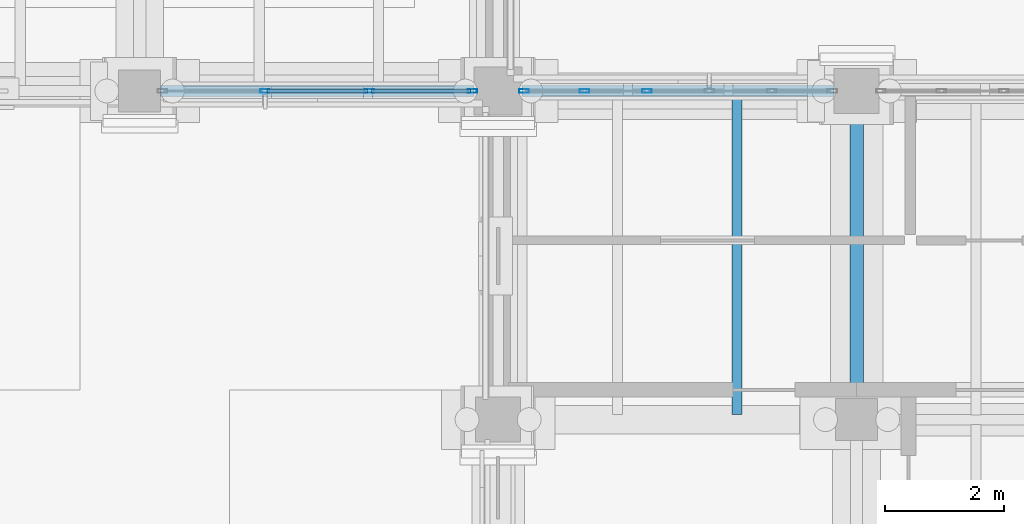
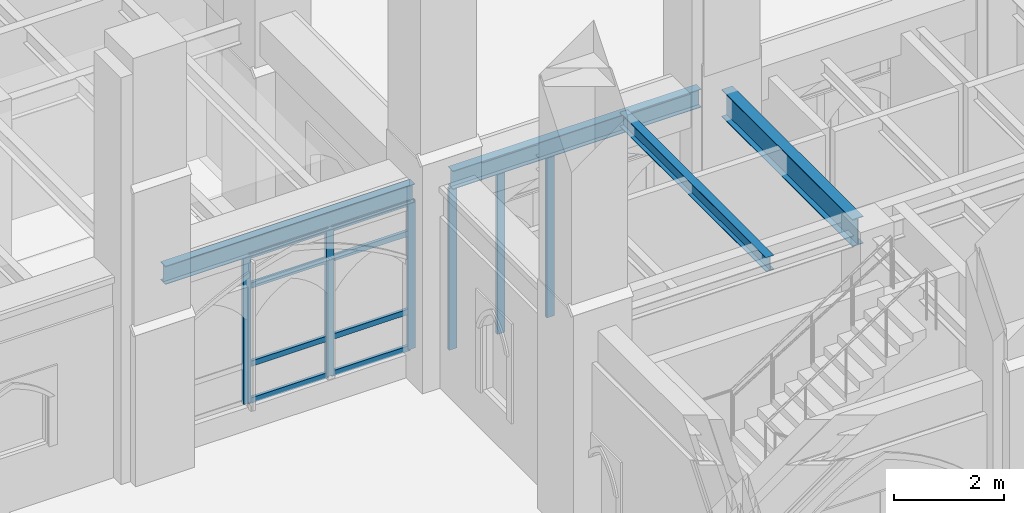
# One storey, part 18 of 135: 14 members, 4 beams, 2 elements without a shape of their own.
"""IFC4 building model written with IfcOpenShell, lengths in metres."""

from ifc_helpers import new_model, si_unit, direction, frame, origin, origin_2d, place, context, subcontext, project, spatial, hollow_rectangle, i_section, extrude, material, layer, layer_set, material_profile, profile_set, type_object, element, aggregate, save


model = new_model("IFC4")

# Units and contexts
model_context = context("Model", 3, precision=1e-05, world=origin(), true_north=direction((0.0, 1.0)))
body_context = subcontext(model_context, "Body", "Model", "MODEL_VIEW")
ifc_project = project(units=[si_unit("LENGTHUNIT", "METRE"), si_unit("AREAUNIT", "SQUARE_METRE"), si_unit("VOLUMEUNIT", "CUBIC_METRE"), si_unit("PLANEANGLEUNIT", "RADIAN"), si_unit("MASSUNIT", "GRAM", prefix="KILO")], contexts=[model_context])

# Site, building, storey
site_placement = place(None, origin())
site = spatial("IfcSite", under=ifc_project, at=site_placement, CompositionType="ELEMENT")
building_placement = place(site_placement, origin())
building = spatial("IfcBuilding", under=site, at=building_placement, Name="Cumevento Cable Car Station", CompositionType="ELEMENT")
storey_placement = place(building_placement, origin())
storey = spatial("IfcBuildingStorey", under=building, at=storey_placement, Name="L01", CompositionType="ELEMENT", Elevation=0.0)

# Curtain wall, members
ifc_material_1 = material(Name="Anodised Bronze Aluminium AW-6063-T6", Category="aluminium")
ifc_layer_1 = layer(ifc_material_1, 0.166015625)
ifc_layer_set_1 = layer_set([ifc_layer_1], Name="Anodised Bronze Aluminium AW-6063-T6")
curtain_wall_type_1 = type_object("IfcCurtainWallType", Name="Lancet Curtain Wall CW-02 1090", PredefinedType="NOTDEFINED", material=ifc_layer_set_1)
curtain_wall_1_placement = place(storey_placement, origin())
curtain_wall_1 = element("IfcCurtainWall", 1, at=curtain_wall_1_placement, inside=storey, type_object=curtain_wall_type_1, Name="Lancet Curtain Wall CW-02 L01 #1", PredefinedType="NOTDEFINED")
ifc_material_2 = material(Name="Anodised Bronze Aluminium AW-6063-T6", Category="aluminium")
ifc_material_profile_1 = material_profile(ifc_material_2, hollow_rectangle(XDim=0.06494140625, YDim=0.159912109375, WallThickness=0.00390625, at=origin_2d()), Name="ALUM65x160x4")
ifc_profile_set_1 = profile_set([ifc_material_profile_1], Name="Anodised Bronze Aluminium AW-6063-T6")
member_type_1 = type_object("IfcMemberType", Name="Curtain Mullion CWM-01 ALUM65x160x4", PredefinedType="MULLION", material=ifc_profile_set_1)
member_1_placement = place(storey_placement, frame((22.4326171875, 15.0, 0.2099609375), z_axis=(0.0, 0.0, 1.0), x_axis=(0.0, 1.0, 0.0)))
member_1 = element("IfcMember", 2, at=member_1_placement, type_object=member_type_1, Name="CW-02 mullion 1", PredefinedType="MULLION", context=body_context, shape_type="SweptSolid", body=[
    extrude(hollow_rectangle(XDim=0.06494140625, YDim=0.159912109375, WallThickness=0.00390625, at=origin_2d()), origin(), (0.0, 0.0, 1.0), 3.59912109375),
])
member_2_placement = place(storey_placement, frame((23.445068359375, 15.0, 0.2099609375), z_axis=(0.0, 0.0, 1.0), x_axis=(0.0, 1.0, 0.0)))
member_2 = element("IfcMember", 3, at=member_2_placement, type_object=member_type_1, Name="CW-02 mullion 2", PredefinedType="MULLION", context=body_context, shape_type="SweptSolid", body=[
    extrude(hollow_rectangle(XDim=0.06494140625, YDim=0.159912109375, WallThickness=0.00390625, at=origin_2d()), origin(), (0.0, 0.0, 1.0), 3.59912109375),
])
member_3_placement = place(storey_placement, frame((24.489990234375, 15.0, 0.2099609375), z_axis=(0.0, 0.0, 1.0), x_axis=(0.0, 1.0, 0.0)))
member_3 = element("IfcMember", 4, at=member_3_placement, type_object=member_type_1, Name="CW-02 mullion 3", PredefinedType="MULLION", context=body_context, shape_type="SweptSolid", body=[
    extrude(hollow_rectangle(XDim=0.06494140625, YDim=0.159912109375, WallThickness=0.00390625, at=origin_2d()), origin(), (0.0, 0.0, 1.0), 3.59912109375),
])
aggregate(curtain_wall_1, [member_1, member_2, member_3])

ifc_material_3 = material(Name="Anodised Bronze Aluminium AW-6063-T6", Category="aluminium")
ifc_layer_2 = layer(ifc_material_3, 0.25)
ifc_layer_set_2 = layer_set([ifc_layer_2], Name="Anodised Bronze Aluminium AW-6063-T6")
curtain_wall_type_2 = type_object("IfcCurtainWallType", Name="Lancet Curtain Wall CW-16 1650", PredefinedType="NOTDEFINED", material=ifc_layer_set_2)
curtain_wall_2_placement = place(storey_placement, origin())
curtain_wall_2 = element("IfcCurtainWall", 5, at=curtain_wall_2_placement, inside=storey, type_object=curtain_wall_type_2, Name="Lancet Curtain Wall CW-16 L01 #15", PredefinedType="NOTDEFINED")
member_4_placement = place(storey_placement, frame((21.5673828125, 15.0, 0.52001953125), z_axis=(0.0, 0.0, 1.0), x_axis=(0.0, -1.0, 0.0)))
member_4 = element("IfcMember", 6, at=member_4_placement, type_object=member_type_1, Name="CW-16 mullion 1", PredefinedType="MULLION", context=body_context, shape_type="SweptSolid", body=[
    extrude(hollow_rectangle(XDim=0.06494140625, YDim=0.159912109375, WallThickness=0.00390625, at=origin_2d()), origin(), (0.0, 0.0, 1.0), 3.2890625),
])
member_5_placement = place(storey_placement, frame((19.85009765625, 15.0, 0.52001953125), z_axis=(0.0, 0.0, 1.0), x_axis=(0.0, -1.0, 0.0)))
member_5 = element("IfcMember", 7, at=member_5_placement, type_object=member_type_1, Name="CW-16 mullion 2", PredefinedType="MULLION", context=body_context, shape_type="SweptSolid", body=[
    extrude(hollow_rectangle(XDim=0.06494140625, YDim=0.159912109375, WallThickness=0.00390625, at=origin_2d()), origin(), (0.0, 0.0, 1.0), 3.2890625),
])
member_6_placement = place(storey_placement, frame((18.10009765625, 15.0, 0.52001953125), z_axis=(0.0, 0.0, 1.0), x_axis=(0.0, -1.0, 0.0)))
member_6 = element("IfcMember", 8, at=member_6_placement, type_object=member_type_1, Name="CW-16 mullion 3", PredefinedType="MULLION", context=body_context, shape_type="SweptSolid", body=[
    extrude(hollow_rectangle(XDim=0.06494140625, YDim=0.159912109375, WallThickness=0.00390625, at=origin_2d()), origin(), (0.0, 0.0, 1.0), 3.2890625),
])
ifc_material_4 = material(Name="Anodised Bronze Aluminium AW-6063-T6", Category="aluminium")
ifc_material_profile_2 = material_profile(ifc_material_4, hollow_rectangle(XDim=0.06494140625, YDim=0.1201171875, WallThickness=0.00390625, at=origin_2d()), Name="ALUT65x120x4")
ifc_profile_set_2 = profile_set([ifc_material_profile_2], Name="Anodised Bronze Aluminium AW-6063-T6")
member_type_2 = type_object("IfcMemberType", Name="Curtain Transom CWT-01 ALUT65x120x4", PredefinedType="USERDEFINED", material=ifc_profile_set_2)
member_7_placement = place(storey_placement, frame((21.534912109375, 15.0, 0.552490234375), z_axis=(-1.0, 0.0, 0.0), x_axis=(0.0, -1.0, 0.0)))
member_7 = element("IfcMember", 9, at=member_7_placement, type_object=member_type_2, Name="CW-16 transom 1.1", ObjectType="TRANSOM", PredefinedType="USERDEFINED", context=body_context, shape_type="SweptSolid", body=[
    extrude(hollow_rectangle(XDim=0.06494140625, YDim=0.1201171875, WallThickness=0.00390625, at=origin_2d()), origin(), (0.0, 0.0, 1.0), 1.65234375),
])
member_8_placement = place(storey_placement, frame((21.534912109375, 15.0, 1.3701171875), z_axis=(-1.0, 0.0, 0.0), x_axis=(0.0, -1.0, 0.0)))
member_8 = element("IfcMember", 10, at=member_8_placement, type_object=member_type_2, Name="CW-16 transom 1.2", ObjectType="TRANSOM", PredefinedType="USERDEFINED", context=body_context, shape_type="SweptSolid", body=[
    extrude(hollow_rectangle(XDim=0.06494140625, YDim=0.1201171875, WallThickness=0.00390625, at=origin_2d()), origin(), (0.0, 0.0, 1.0), 1.65234375),
])
member_9_placement = place(storey_placement, frame((21.534912109375, 15.0, 3.10888671875), z_axis=(-1.0, 0.0, 0.0), x_axis=(0.0, -1.0, 0.0)))
member_9 = element("IfcMember", 11, at=member_9_placement, type_object=member_type_2, Name="CW-16 transom 1.3", ObjectType="TRANSOM", PredefinedType="USERDEFINED", context=body_context, shape_type="SweptSolid", body=[
    extrude(hollow_rectangle(XDim=0.06494140625, YDim=0.1201171875, WallThickness=0.00390625, at=origin_2d()), origin(), (0.0, 0.0, 1.0), 1.65234375),
])
member_10_placement = place(storey_placement, frame((21.534912109375, 15.0, 3.776611328125), z_axis=(-1.0, 0.0, 0.0), x_axis=(0.0, -1.0, 0.0)))
member_10 = element("IfcMember", 12, at=member_10_placement, type_object=member_type_2, Name="CW-16 transom 1.4", ObjectType="TRANSOM", PredefinedType="USERDEFINED", context=body_context, shape_type="SweptSolid", body=[
    extrude(hollow_rectangle(XDim=0.06494140625, YDim=0.1201171875, WallThickness=0.00390625, at=origin_2d()), origin(), (0.0, 0.0, 1.0), 1.65234375),
])
member_11_placement = place(storey_placement, frame((19.8173828125, 15.0, 0.552490234375), z_axis=(-1.0, 0.0, 0.0), x_axis=(0.0, -1.0, 0.0)))
member_11 = element("IfcMember", 13, at=member_11_placement, type_object=member_type_2, Name="CW-16 transom 2.1", ObjectType="TRANSOM", PredefinedType="USERDEFINED", context=body_context, shape_type="SweptSolid", body=[
    extrude(hollow_rectangle(XDim=0.06494140625, YDim=0.1201171875, WallThickness=0.00390625, at=origin_2d()), origin(), (0.0, 0.0, 1.0), 1.684814453125),
])
member_12_placement = place(storey_placement, frame((19.8173828125, 15.0, 1.3701171875), z_axis=(-1.0, 0.0, 0.0), x_axis=(0.0, -1.0, 0.0)))
member_12 = element("IfcMember", 14, at=member_12_placement, type_object=member_type_2, Name="CW-16 transom 2.2", ObjectType="TRANSOM", PredefinedType="USERDEFINED", context=body_context, shape_type="SweptSolid", body=[
    extrude(hollow_rectangle(XDim=0.06494140625, YDim=0.1201171875, WallThickness=0.00390625, at=origin_2d()), origin(), (0.0, 0.0, 1.0), 1.684814453125),
])
member_13_placement = place(storey_placement, frame((19.8173828125, 15.0, 3.10888671875), z_axis=(-1.0, 0.0, 0.0), x_axis=(0.0, -1.0, 0.0)))
member_13 = element("IfcMember", 15, at=member_13_placement, type_object=member_type_2, Name="CW-16 transom 2.3", ObjectType="TRANSOM", PredefinedType="USERDEFINED", context=body_context, shape_type="SweptSolid", body=[
    extrude(hollow_rectangle(XDim=0.06494140625, YDim=0.1201171875, WallThickness=0.00390625, at=origin_2d()), origin(), (0.0, 0.0, 1.0), 1.684814453125),
])
member_14_placement = place(storey_placement, frame((19.8173828125, 15.0, 3.776611328125), z_axis=(-1.0, 0.0, 0.0), x_axis=(0.0, -1.0, 0.0)))
member_14 = element("IfcMember", 16, at=member_14_placement, type_object=member_type_2, Name="CW-16 transom 2.4", ObjectType="TRANSOM", PredefinedType="USERDEFINED", context=body_context, shape_type="SweptSolid", body=[
    extrude(hollow_rectangle(XDim=0.06494140625, YDim=0.1201171875, WallThickness=0.00390625, at=origin_2d()), origin(), (0.0, 0.0, 1.0), 1.684814453125),
])
aggregate(curtain_wall_2, [member_4, member_5, member_6, member_7, member_8, member_9, member_10, member_11, member_12, member_13, member_14])

# Beams
ifc_material_5 = material(Name="Steel ASTM A572 Grade 50", Category="steel")
ifc_material_profile_3 = material_profile(ifc_material_5, i_section(OverallWidth=0.22802734375, OverallDepth=0.60791015625, WebThickness=0.01123046875, FlangeThickness=0.017333984375, at=origin_2d()), Name="W610x113.0")
ifc_profile_set_3 = profile_set([ifc_material_profile_3], Name="Steel ASTM A572 Grade 50")
beam_type_1 = type_object("IfcBeamType", Name="Structural Beam BM-02 W610x113.0", PredefinedType="BEAM", material=ifc_profile_set_3)
beam_1_placement = place(storey_placement, frame((28.0, 9.85009765625, 3.98388671875), z_axis=(0.0, 1.0, 0.0), x_axis=(-1.0, 0.0, 0.0)))
element("IfcBeam", 17, at=beam_1_placement, inside=storey, type_object=beam_type_1, Name="Beam BM-02 L01 #16", PredefinedType="BEAM", context=body_context, shape_type="SweptSolid", body=[
    extrude(i_section(OverallWidth=0.22802734375, OverallDepth=0.60791015625, WebThickness=0.01123046875, FlangeThickness=0.017333984375, at=origin_2d()), origin(), (0.0, 0.0, 1.0), 4.77490234375),
])
ifc_material_6 = material(Name="Steel ASTM A572 Grade 50", Category="steel")
ifc_material_profile_4 = material_profile(ifc_material_6, i_section(OverallWidth=0.1669921875, OverallDepth=0.31689453125, WebThickness=0.007568359375, FlangeThickness=0.01318359375, at=origin_2d()), Name="W310x52.0")
ifc_profile_set_4 = profile_set([ifc_material_profile_4], Name="Steel ASTM A572 Grade 50")
beam_type_2 = type_object("IfcBeamType", Name="Structural Joist JS-02 W310x52.0", PredefinedType="JOIST", material=ifc_profile_set_4)
beam_2_placement = place(storey_placement, frame((26.0, 9.589599609375, 4.12939453125), z_axis=(0.0, 1.0, 0.0), x_axis=(-1.0, 0.0, 0.0)))
element("IfcBeam", 18, at=beam_2_placement, inside=storey, type_object=beam_type_2, Name="Composite Floor Joist JS-02 L01 #305", PredefinedType="JOIST", context=body_context, shape_type="SweptSolid", body=[
    extrude(i_section(OverallWidth=0.1669921875, OverallDepth=0.31689453125, WebThickness=0.007568359375, FlangeThickness=0.01318359375, at=origin_2d()), origin(), (0.0, 0.0, 1.0), 5.33349609375),
])
ifc_material_7 = material(Name="Steel ASTM A572 Grade 50", Category="steel")
ifc_material_profile_5 = material_profile(ifc_material_7, i_section(OverallWidth=0.177978515625, OverallDepth=0.406982421875, WebThickness=0.0078125, FlangeThickness=0.0126953125, at=origin_2d()), Name="W410x60.0")
ifc_profile_set_5 = profile_set([ifc_material_profile_5], Name="Steel ASTM A572 Grade 50")
beam_type_3 = type_object("IfcBeamType", Name="Structural Spandrel SP-01 W410x60.0", PredefinedType="SPANDREL", material=ifc_profile_set_5)
beam_3_placement = place(storey_placement, frame((22.39990234375, 15.0, 4.012451171875), z_axis=(1.0, 0.0, 0.0), x_axis=(0.0, 1.0, 0.0)))
element("IfcBeam", 19, at=beam_3_placement, inside=storey, type_object=beam_type_3, Name="Beam SP-01 L01 #9", PredefinedType="SPANDREL", context=body_context, shape_type="SweptSolid", body=[
    extrude(i_section(OverallWidth=0.177978515625, OverallDepth=0.406982421875, WebThickness=0.0078125, FlangeThickness=0.0126953125, at=origin_2d()), origin(), (0.0, 0.0, 1.0), 5.22509765625),
])
beam_4_placement = place(storey_placement, frame((16.35009765625, 15.0, 4.012451171875), z_axis=(1.0, 0.0, 0.0), x_axis=(0.0, 1.0, 0.0)))
element("IfcBeam", 20, at=beam_4_placement, inside=storey, type_object=beam_type_3, Name="Beam SP-01 L01 #94", PredefinedType="SPANDREL", context=body_context, shape_type="SweptSolid", body=[
    extrude(i_section(OverallWidth=0.177978515625, OverallDepth=0.406982421875, WebThickness=0.0078125, FlangeThickness=0.0126953125, at=origin_2d()), origin(), (0.0, 0.0, 1.0), 5.25),
])

save(model, "model.ifc")
